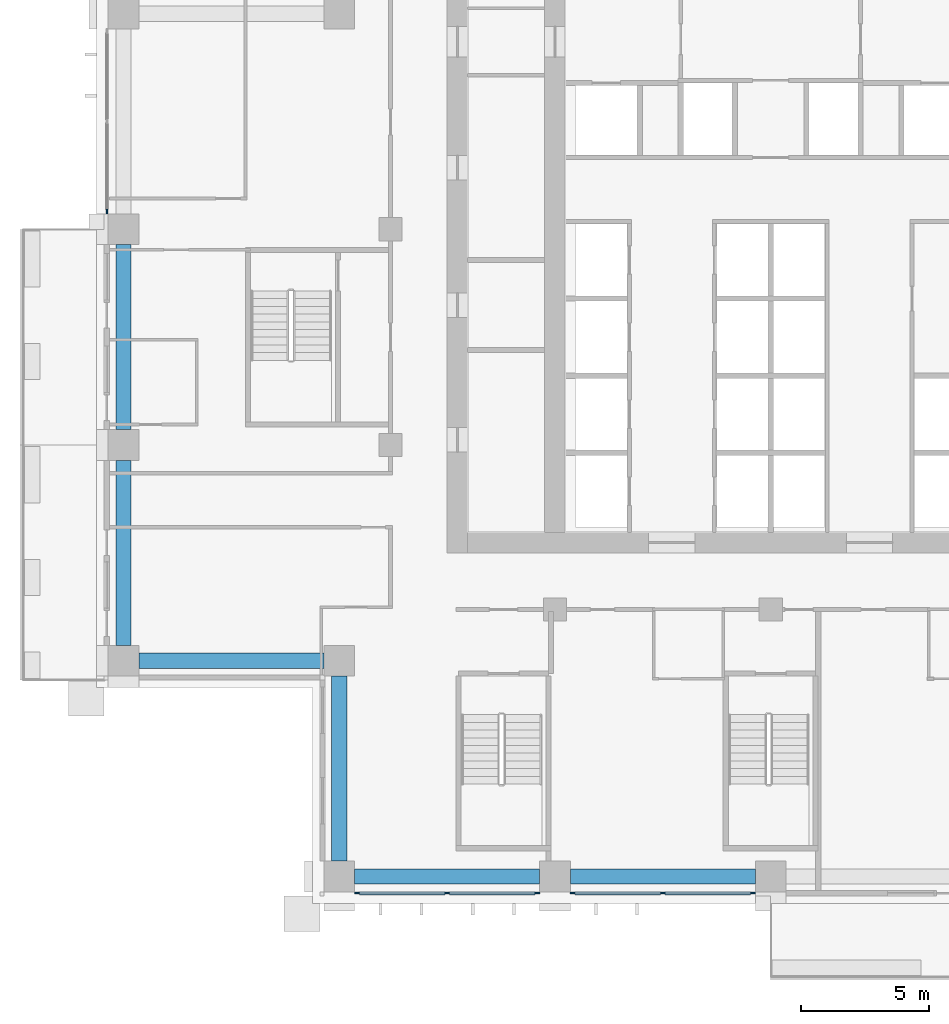
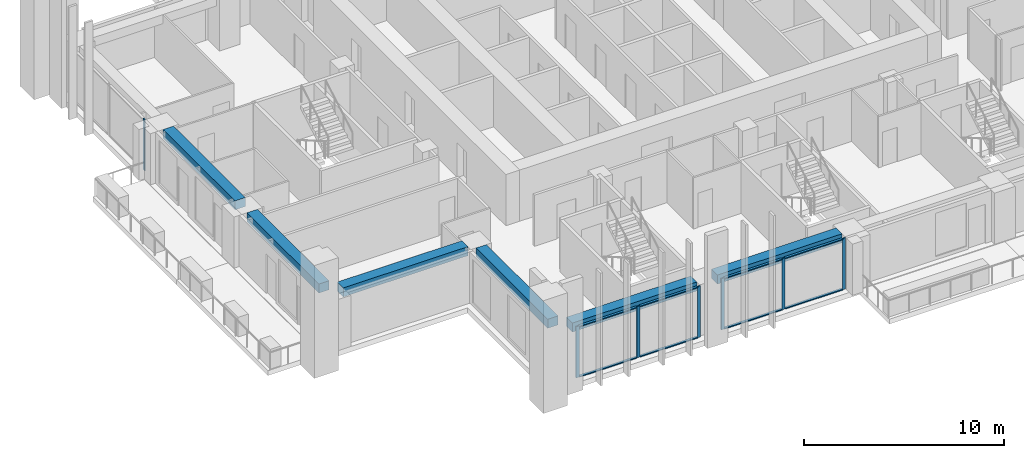
# One storey, part 2 of 19: 15 members, 6 beams, 3 elements without a shape of their own.
"""IFC4 building model written with IfcOpenShell, lengths in metres."""

import ifcopenshell
import ifcopenshell.guid

model = None  # the IFC model being written
_history = None  # IfcOwnerHistory: only IFC2X3 demands one
_inside = {}  # id of a spatial element -> (the spatial element, [elements in it])
_under = {}  # id of a project, library or spatial element -> (it, [spatial elements below it])
_declared = {}  # id of a project -> (the project, [libraries it declares])
_typed = {}  # id of a type object -> (the type object, [elements of that type])
_made_of = {}  # id of a material, layer set ... -> (it, [elements and type objects made of it])


def new_model(schema):
    """Start an empty IFC model of exactly this schema.

    Asked for "IFC4X3", IfcOpenShell would pick the latest addendum, in which some entities
    have other attributes; the version numbers below select the first issue.
    IFC2X3 requires an IfcOwnerHistory on every rooted entity: one is made here for all.
    """
    global model, _history
    if schema == "IFC4X3":
        model = ifcopenshell.file(schema_version=(4, 3, 0, 0))
    else:
        model = ifcopenshell.file(schema=schema)
    _inside.clear()
    _under.clear()
    _declared.clear()
    _typed.clear()
    _made_of.clear()
    _history = None
    if model.schema == "IFC2X3":
        org = make("IfcOrganization", Name="unknown")
        user = make(
            "IfcPersonAndOrganization",
            ThePerson=make("IfcPerson", FamilyName="unknown"),
            TheOrganization=org,
        )
        app = make(
            "IfcApplication",
            ApplicationDeveloper=org,
            Version="unknown",
            ApplicationFullName="unknown",
            ApplicationIdentifier="unknown",
        )
        _history = make(
            "IfcOwnerHistory",
            OwningUser=user,
            OwningApplication=app,
            ChangeAction="ADDED",
            CreationDate=0,
        )
    return model


def make(cls, **values):
    """One entity of the class cls with the attributes given. An attribute that is None is left unset."""
    return model.create_entity(
        cls, **{name: value for name, value in values.items() if value is not None}
    )


def rooted(cls, **values):
    """An entity with a GlobalId (a new one), such as an element, a storey or a relation."""
    return make(cls, GlobalId=ifcopenshell.guid.new(), OwnerHistory=_history, **values)


def si_unit(unit_type, name, prefix=None):
    """IfcSIUnit, for example si_unit("LENGTHUNIT", "METRE", prefix="MILLI")."""
    return make("IfcSIUnit", UnitType=unit_type, Prefix=prefix, Name=name)


def assignment(units):
    """IfcUnitAssignment: the units of a project."""
    return None if units is None else make("IfcUnitAssignment", Units=units)


def point(xyz):
    """IfcCartesianPoint."""
    return None if xyz is None else make("IfcCartesianPoint", Coordinates=xyz)


def direction(xyz):
    """IfcDirection."""
    return None if xyz is None else make("IfcDirection", DirectionRatios=xyz)


def frame(location, z_axis=None, x_axis=None):
    """IfcAxis2Placement3D, a coordinate frame: its origin and axes. An axis left out is left unset."""
    return make(
        "IfcAxis2Placement3D",
        Location=point(location),
        Axis=direction(z_axis),
        RefDirection=direction(x_axis),
    )


def frame_2d(location, x_axis=None):
    """IfcAxis2Placement2D, a coordinate frame in the plane: its origin and x axis."""
    return make(
        "IfcAxis2Placement2D", Location=point(location), RefDirection=direction(x_axis)
    )


def origin():
    """The frame at (0, 0, 0) with its axes left unset."""
    return frame((0.0, 0.0, 0.0))


def origin_2d():
    """The frame at (0, 0) in the plane with its x axis left unset."""
    return frame_2d((0.0, 0.0))


def place(relative_to, where):
    """IfcLocalPlacement: puts the frame where relative to a parent placement (None: the world)."""
    return make(
        "IfcLocalPlacement", PlacementRelTo=relative_to, RelativePlacement=where
    )


def context(
    kind, dimensions, precision=None, world=None, true_north=None, identifier=None
):
    """IfcGeometricRepresentationContext, for example the 3D "Model" context."""
    return make(
        "IfcGeometricRepresentationContext",
        ContextIdentifier=identifier,
        ContextType=kind,
        CoordinateSpaceDimension=dimensions,
        Precision=precision,
        WorldCoordinateSystem=world,
        TrueNorth=true_north,
    )


def subcontext(parent, identifier, kind, view, scale=None):
    """IfcGeometricRepresentationSubContext, for example "Body" below "Model"."""
    return make(
        "IfcGeometricRepresentationSubContext",
        ContextIdentifier=identifier,
        ContextType=kind,
        ParentContext=parent,
        TargetScale=scale,
        TargetView=view,
    )


def project(units=None, contexts=None):
    """IfcProject with its units and contexts."""
    return rooted(
        "IfcProject",
        Name="project",
        RepresentationContexts=contexts,
        UnitsInContext=assignment(units),
    )


def spatial(cls, under=None, at=None, **own):
    """A site, building, storey or space (cls), placed at a placement, below another one or the project."""
    s = rooted(cls, ObjectPlacement=at, **own)
    if under is not None:
        _under.setdefault(under.id(), (under, []))[1].append(s)
    return s


def profile(cls, at=None, kind="AREA", **sizes):
    """A parametric profile (cls). Its sizes go by their IFC names, for example OverallWidth=200.0."""
    return make(cls, ProfileType=kind, Position=at, **sizes)


def rectangle(**sizes):
    """IfcRectangleProfileDef."""
    return profile("IfcRectangleProfileDef", **sizes)


def extrude(swept, where, along, depth):
    """IfcExtrudedAreaSolid: the profile swept, set in the frame where, extruded along a direction by depth."""
    return make(
        "IfcExtrudedAreaSolid",
        SweptArea=swept,
        Position=where,
        ExtrudedDirection=direction(along),
        Depth=depth,
    )


def shape(context_of_items, identifier, shape_type, items):
    """IfcShapeRepresentation: the items that make up one representation, for example the "Body"."""
    return make(
        "IfcShapeRepresentation",
        ContextOfItems=context_of_items,
        RepresentationIdentifier=identifier,
        RepresentationType=shape_type,
        Items=items,
    )


def material(Name=None, Category=None):
    """IfcMaterial."""
    return make("IfcMaterial", Name=Name, Category=Category)


def material_profile(
    of_material, cross_section, Name=None, Category=None, Priority=None
):
    """IfcMaterialProfile: a cross section and its material."""
    return make(
        "IfcMaterialProfile",
        Name=Name,
        Material=of_material,
        Profile=cross_section,
        Priority=Priority,
        Category=Category,
    )


def profile_set(profiles, Name=None, composite=None):
    """IfcMaterialProfileSet."""
    return make(
        "IfcMaterialProfileSet",
        Name=Name,
        MaterialProfiles=profiles,
        CompositeProfile=composite,
    )


def made_of(thing, what):
    """Note that an element or type object is made of a material, layer set ...; save() writes the relation."""
    if what is not None:
        _made_of.setdefault(what.id(), (what, []))[1].append(thing)
    return thing


def type_object(cls, material=None, **own):
    """A type object (cls), such as IfcWallType, which elements share."""
    return made_of(rooted(cls, **own), material)


def element(
    cls,
    number,
    at=None,
    inside=None,
    cuts=None,
    type_object=None,
    material=None,
    context=None,
    identifier="Body",
    shape_type=None,
    held_by="IfcProductDefinitionShape",
    body=None,
    shapes=None,
    **own,
):
    """One element of the class cls, such as IfcWall. Its Tag is "e" and its number.

    at: its placement. inside: the storey or other place that contains it. cuts: it is an
    opening in that element (IfcRelVoidsElement). A single representation is given by context,
    identifier, shape_type and body (its items); several are given by shapes. held_by: the class
    of the entity that holds the representations. save() writes the other relations.
    """
    e = rooted(cls, Tag="e%d" % number, ObjectPlacement=at, **own)
    if body is not None:
        shapes = [shape(context, identifier, shape_type, body)]
    if shapes is not None:
        e.Representation = make(held_by, Representations=shapes)
    if inside is not None:
        _inside.setdefault(inside.id(), (inside, []))[1].append(e)
    if cuts is not None:
        rooted(
            "IfcRelVoidsElement", RelatingBuildingElement=cuts, RelatedOpeningElement=e
        )
    if type_object is not None:
        _typed.setdefault(type_object.id(), (type_object, []))[1].append(e)
    return made_of(e, material)


def aggregate(whole, parts):
    """IfcRelAggregates: a whole, such as a stair, and the parts it consists of."""
    return rooted("IfcRelAggregates", RelatingObject=whole, RelatedObjects=parts)


def save(model, path):
    """Write the relations noted so far, then the file.

    IfcRelAggregates (storeys below a building ...), IfcRelContainedInSpatialStructure (elements
    in a storey), IfcRelDefinesByType, IfcRelAssociatesMaterial and IfcRelDeclares: one each for
    every whole, place, type object, material and project.
    """
    for whole, parts in _under.values():
        aggregate(whole, parts)
    for where, things in _inside.values():
        rooted(
            "IfcRelContainedInSpatialStructure",
            RelatedElements=things,
            RelatingStructure=where,
        )
    for kind, things in _typed.values():
        rooted("IfcRelDefinesByType", RelatedObjects=things, RelatingType=kind)
    for what, things in _made_of.values():
        rooted("IfcRelAssociatesMaterial", RelatedObjects=things, RelatingMaterial=what)
    for by, libraries in _declared.values():
        rooted("IfcRelDeclares", RelatingContext=by, RelatedDefinitions=libraries)
    model.write(path)


model = new_model("IFC4")

# Units and contexts
model_context = context("Model", 3, precision=1e-05, world=origin(), true_north=direction((0.0, 1.0)))
body_context = subcontext(model_context, "Body", "Model", "MODEL_VIEW")
ifc_project = project(units=[si_unit("LENGTHUNIT", "METRE"), si_unit("AREAUNIT", "SQUARE_METRE"), si_unit("VOLUMEUNIT", "CUBIC_METRE"), si_unit("PLANEANGLEUNIT", "RADIAN"), si_unit("MASSUNIT", "GRAM", prefix="KILO")], contexts=[model_context])

# Site, building, storey
site_placement = place(None, origin())
site = spatial("IfcSite", under=ifc_project, at=site_placement, CompositionType="ELEMENT")
building_placement = place(site_placement, origin())
building = spatial("IfcBuilding", under=site, at=building_placement, Name="Vermilion Ogive Tower", CompositionType="ELEMENT")
storey_placement = place(building_placement, frame((0.0, 0.0, 104.550048828125)))
storey = spatial("IfcBuildingStorey", under=building, at=storey_placement, Name="L26", CompositionType="ELEMENT", Elevation=104.550048828125)

# Curtain wall, members
ifc_material_1 = material(Name="Low-iron laminated glazing in aluminium frame", Category="aluminium")
curtain_wall_type = type_object("IfcCurtainWallType", Name="Curtain wall CW7", PredefinedType="NOTDEFINED", material=ifc_material_1)
curtain_wall_1_placement = place(storey_placement, origin())
curtain_wall_1 = element("IfcCurtainWall", 1, at=curtain_wall_1_placement, inside=storey, type_object=curtain_wall_type, Name="Glazed skin S1", PredefinedType="NOTDEFINED")
ifc_material_2 = material(Name="Aluminium mullion", Category="aluminium")
ifc_material_profile_1 = material_profile(ifc_material_2, rectangle(XDim=0.06005859375, YDim=0.179931640625, at=origin_2d()), Name="AL 60x180")
ifc_profile_set_1 = profile_set([ifc_material_profile_1], Name="Aluminium mullion")
member_type_1 = type_object("IfcMemberType", Name="CW7 mullion 60x180", PredefinedType="MULLION", material=ifc_profile_set_1)
member_1_placement = place(storey_placement, frame((-16.110107421875, -21.64990234375, 0.0), z_axis=(0.0, 0.0, 1.0), x_axis=(0.0, 1.0, 0.0)))
member_1 = element("IfcMember", 2, at=member_1_placement, type_object=member_type_1, Name="CW7-S1 mullion 1", PredefinedType="MULLION", context=body_context, shape_type="SweptSolid", body=[
    extrude(rectangle(XDim=0.06005859375, YDim=0.179931640625, at=origin_2d()), origin(), (0.0, 0.0, 1.0), 3.1298828125),
])
member_2_placement = place(storey_placement, frame((-12.60009765625, -21.64990234375, 0.0), z_axis=(0.0, 0.0, 1.0), x_axis=(0.0, 1.0, 0.0)))
member_2 = element("IfcMember", 3, at=member_2_placement, type_object=member_type_1, Name="CW7-S1 mullion 2", PredefinedType="MULLION", context=body_context, shape_type="SweptSolid", body=[
    extrude(rectangle(XDim=0.06005859375, YDim=0.179931640625, at=origin_2d()), origin(), (0.0, 0.0, 1.0), 3.1298828125),
])
member_3_placement = place(storey_placement, frame((-9.090087890625, -21.64990234375, 0.0), z_axis=(0.0, 0.0, 1.0), x_axis=(0.0, 1.0, 0.0)))
member_3 = element("IfcMember", 4, at=member_3_placement, type_object=member_type_1, Name="CW7-S1 mullion 3", PredefinedType="MULLION", context=body_context, shape_type="SweptSolid", body=[
    extrude(rectangle(XDim=0.06005859375, YDim=0.179931640625, at=origin_2d()), origin(), (0.0, 0.0, 1.0), 3.1298828125),
])

curtain_wall_2_placement = place(storey_placement, origin())
curtain_wall_2 = element("IfcCurtainWall", 5, at=curtain_wall_2_placement, inside=storey, type_object=curtain_wall_type, Name="Glazed skin S2", PredefinedType="NOTDEFINED")
member_4_placement = place(storey_placement, frame((-7.7099609375, -21.64990234375, 0.0), z_axis=(0.0, 0.0, 1.0), x_axis=(0.0, 1.0, 0.0)))
member_4 = element("IfcMember", 6, at=member_4_placement, type_object=member_type_1, Name="CW7-S2 mullion 1", PredefinedType="MULLION", context=body_context, shape_type="SweptSolid", body=[
    extrude(rectangle(XDim=0.06005859375, YDim=0.179931640625, at=origin_2d()), origin(), (0.0, 0.0, 1.0), 3.1298828125),
])
member_5_placement = place(storey_placement, frame((-4.199951171875, -21.64990234375, 0.0), z_axis=(0.0, 0.0, 1.0), x_axis=(0.0, 1.0, 0.0)))
member_5 = element("IfcMember", 7, at=member_5_placement, type_object=member_type_1, Name="CW7-S2 mullion 2", PredefinedType="MULLION", context=body_context, shape_type="SweptSolid", body=[
    extrude(rectangle(XDim=0.06005859375, YDim=0.179931640625, at=origin_2d()), origin(), (0.0, 0.0, 1.0), 3.1298828125),
])
member_6_placement = place(storey_placement, frame((-0.68994140625, -21.64990234375, 0.0), z_axis=(0.0, 0.0, 1.0), x_axis=(0.0, 1.0, 0.0)))
member_6 = element("IfcMember", 8, at=member_6_placement, type_object=member_type_1, Name="CW7-S2 mullion 3", PredefinedType="MULLION", context=body_context, shape_type="SweptSolid", body=[
    extrude(rectangle(XDim=0.06005859375, YDim=0.179931640625, at=origin_2d()), origin(), (0.0, 0.0, 1.0), 3.1298828125),
])

# Curtain wall, member
curtain_wall_3_placement = place(storey_placement, origin())
curtain_wall_3 = element("IfcCurtainWall", 9, at=curtain_wall_3_placement, inside=storey, type_object=curtain_wall_type, Name="Glazed skin W1", PredefinedType="NOTDEFINED")
member_7_placement = place(storey_placement, frame((-25.85009765625, 4.889892578125, 0.0), z_axis=(0.0, 0.0, 1.0), x_axis=(1.0, 0.0, 0.0)))
member_7 = element("IfcMember", 10, at=member_7_placement, type_object=member_type_1, Name="CW7-W1 mullion 3", PredefinedType="MULLION", context=body_context, shape_type="SweptSolid", body=[
    extrude(rectangle(XDim=0.06005859375, YDim=0.179931640625, at=origin_2d()), origin(), (0.0, 0.0, 1.0), 3.1298828125),
])
aggregate(curtain_wall_3, [member_7])

# Member
ifc_material_3 = material(Name="Aluminium transom", Category="aluminium")
ifc_material_profile_2 = material_profile(ifc_material_3, rectangle(XDim=0.139892578125, YDim=0.06005859375, at=origin_2d()), Name="AL 60x140")
ifc_profile_set_2 = profile_set([ifc_material_profile_2], Name="Aluminium transom")
member_type_2 = type_object("IfcMemberType", Name="CW7 transom 60x140", PredefinedType="USERDEFINED", material=ifc_profile_set_2)
member_8_placement = place(storey_placement, frame((-16.02001953125, -21.64990234375, 0.030029296875), z_axis=(1.0, 0.0, 0.0), x_axis=(0.0, 1.0, 0.0)))
member_8 = element("IfcMember", 11, at=member_8_placement, type_object=member_type_2, Name="CW7-S1 transom 1.1", ObjectType="TRANSOM", PredefinedType="USERDEFINED", context=body_context, shape_type="SweptSolid", body=[
    extrude(rectangle(XDim=0.139892578125, YDim=0.06005859375, at=origin_2d()), origin(), (0.0, 0.0, 1.0), 3.330078125),
])

member_9_placement = place(storey_placement, frame((-16.02001953125, -21.64990234375, 3.099853515625), z_axis=(1.0, 0.0, 0.0), x_axis=(0.0, 1.0, 0.0)))
member_9 = element("IfcMember", 12, at=member_9_placement, type_object=member_type_2, Name="CW7-S1 transom 1.2", ObjectType="TRANSOM", PredefinedType="USERDEFINED", context=body_context, shape_type="SweptSolid", body=[
    extrude(rectangle(XDim=0.139892578125, YDim=0.06005859375, at=origin_2d()), origin(), (0.0, 0.0, 1.0), 3.330078125),
])

member_10_placement = place(storey_placement, frame((-12.510009765625, -21.64990234375, 0.030029296875), z_axis=(1.0, 0.0, 0.0), x_axis=(0.0, 1.0, 0.0)))
member_10 = element("IfcMember", 13, at=member_10_placement, type_object=member_type_2, Name="CW7-S1 transom 2.1", ObjectType="TRANSOM", PredefinedType="USERDEFINED", context=body_context, shape_type="SweptSolid", body=[
    extrude(rectangle(XDim=0.139892578125, YDim=0.06005859375, at=origin_2d()), origin(), (0.0, 0.0, 1.0), 3.330078125),
])

member_11_placement = place(storey_placement, frame((-12.510009765625, -21.64990234375, 3.099853515625), z_axis=(1.0, 0.0, 0.0), x_axis=(0.0, 1.0, 0.0)))
member_11 = element("IfcMember", 14, at=member_11_placement, type_object=member_type_2, Name="CW7-S1 transom 2.2", ObjectType="TRANSOM", PredefinedType="USERDEFINED", context=body_context, shape_type="SweptSolid", body=[
    extrude(rectangle(XDim=0.139892578125, YDim=0.06005859375, at=origin_2d()), origin(), (0.0, 0.0, 1.0), 3.330078125),
])

aggregate(curtain_wall_1, [member_1, member_2, member_3, member_8, member_9, member_10, member_11])

member_12_placement = place(storey_placement, frame((-7.6201171875, -21.64990234375, 0.030029296875), z_axis=(1.0, 0.0, 0.0), x_axis=(0.0, 1.0, 0.0)))
member_12 = element("IfcMember", 15, at=member_12_placement, type_object=member_type_2, Name="CW7-S2 transom 1.1", ObjectType="TRANSOM", PredefinedType="USERDEFINED", context=body_context, shape_type="SweptSolid", body=[
    extrude(rectangle(XDim=0.139892578125, YDim=0.06005859375, at=origin_2d()), origin(), (0.0, 0.0, 1.0), 3.330078125),
])

member_13_placement = place(storey_placement, frame((-7.6201171875, -21.64990234375, 3.099853515625), z_axis=(1.0, 0.0, 0.0), x_axis=(0.0, 1.0, 0.0)))
member_13 = element("IfcMember", 16, at=member_13_placement, type_object=member_type_2, Name="CW7-S2 transom 1.2", ObjectType="TRANSOM", PredefinedType="USERDEFINED", context=body_context, shape_type="SweptSolid", body=[
    extrude(rectangle(XDim=0.139892578125, YDim=0.06005859375, at=origin_2d()), origin(), (0.0, 0.0, 1.0), 3.330078125),
])

member_14_placement = place(storey_placement, frame((-4.110107421875, -21.64990234375, 0.030029296875), z_axis=(1.0, 0.0, 0.0), x_axis=(0.0, 1.0, 0.0)))
member_14 = element("IfcMember", 17, at=member_14_placement, type_object=member_type_2, Name="CW7-S2 transom 2.1", ObjectType="TRANSOM", PredefinedType="USERDEFINED", context=body_context, shape_type="SweptSolid", body=[
    extrude(rectangle(XDim=0.139892578125, YDim=0.06005859375, at=origin_2d()), origin(), (0.0, 0.0, 1.0), 3.330078125),
])

member_15_placement = place(storey_placement, frame((-4.110107421875, -21.64990234375, 3.099853515625), z_axis=(1.0, 0.0, 0.0), x_axis=(0.0, 1.0, 0.0)))
member_15 = element("IfcMember", 18, at=member_15_placement, type_object=member_type_2, Name="CW7-S2 transom 2.2", ObjectType="TRANSOM", PredefinedType="USERDEFINED", context=body_context, shape_type="SweptSolid", body=[
    extrude(rectangle(XDim=0.139892578125, YDim=0.06005859375, at=origin_2d()), origin(), (0.0, 0.0, 1.0), 3.330078125),
])

aggregate(curtain_wall_2, [member_4, member_5, member_6, member_12, member_13, member_14, member_15])

# Beams
ifc_material_4 = material(Name="Concrete B45", Category="concrete")
ifc_material_profile_3 = material_profile(ifc_material_4, rectangle(XDim=0.60009765625, YDim=0.550048828125, at=origin_2d()), Name="600 x 550")
ifc_profile_set_3 = profile_set([ifc_material_profile_3], Name="Concrete B45")
beam_type = type_object("IfcBeamType", Name="Edge beam 600 x 550 B45", PredefinedType="BEAM", material=ifc_profile_set_3)
for number, where, z_axis, x_axis, name in (
    (19, (-16.199951171875, -21.0, 2.85498046875), (1.0, 0.0, 0.0), (0.0, 1.0, 0.0), "L26-EB-1"),
    (20, (-7.800048828125, -21.0, 2.85498046875), (1.0, 0.0, 0.0), (0.0, 1.0, 0.0), "L26-EB-2"),
):
    element("IfcBeam", number, at=place(storey_placement, frame(where, z_axis=z_axis, x_axis=x_axis)), inside=storey, type_object=beam_type, Name=name, PredefinedType="BEAM", context=body_context, shape_type="SweptSolid", body=[
        extrude(rectangle(XDim=0.60009765625, YDim=0.550048828125, at=origin_2d()), origin(), (0.0, 0.0, 1.0), 7.199951171875),
    ])
beam_1_placement = place(storey_placement, frame((-25.199951171875, 3.60009765625, 2.85498046875), z_axis=(0.0, -1.0, 0.0), x_axis=(1.0, 0.0, 0.0)))
element("IfcBeam", 21, at=beam_1_placement, inside=storey, type_object=beam_type, Name="L26-EB-15", PredefinedType="BEAM", context=body_context, shape_type="SweptSolid", body=[
    extrude(rectangle(XDim=0.60009765625, YDim=0.550048828125, at=origin_2d()), origin(), (0.0, 0.0, 1.0), 7.2001953125),
])
beam_2_placement = place(storey_placement, frame((-25.199951171875, -4.800048828125, 2.85498046875), z_axis=(0.0, -1.0, 0.0), x_axis=(1.0, 0.0, 0.0)))
element("IfcBeam", 22, at=beam_2_placement, inside=storey, type_object=beam_type, Name="L26-EB-16", PredefinedType="BEAM", context=body_context, shape_type="SweptSolid", body=[
    extrude(rectangle(XDim=0.60009765625, YDim=0.550048828125, at=origin_2d()), origin(), (0.0, 0.0, 1.0), 7.199951171875),
])
beam_3_placement = place(storey_placement, frame((-24.60009765625, -12.60009765625, 2.85498046875), z_axis=(1.0, 0.0, 0.0), x_axis=(0.0, 1.0, 0.0)))
element("IfcBeam", 23, at=beam_3_placement, inside=storey, type_object=beam_type, Name="L26-EB-17", PredefinedType="BEAM", context=body_context, shape_type="SweptSolid", body=[
    extrude(rectangle(XDim=0.60009765625, YDim=0.550048828125, at=origin_2d()), origin(), (0.0, 0.0, 1.0), 7.2001953125),
])
beam_4_placement = place(storey_placement, frame((-16.800048828125, -13.199951171875, 2.85498046875), z_axis=(0.0, -1.0, 0.0), x_axis=(1.0, 0.0, 0.0)))
element("IfcBeam", 24, at=beam_4_placement, inside=storey, type_object=beam_type, Name="L26-EB-18", PredefinedType="BEAM", context=body_context, shape_type="SweptSolid", body=[
    extrude(rectangle(XDim=0.60009765625, YDim=0.550048828125, at=origin_2d()), origin(), (0.0, 0.0, 1.0), 7.199951171875),
])

save(model, "model.ifc")
